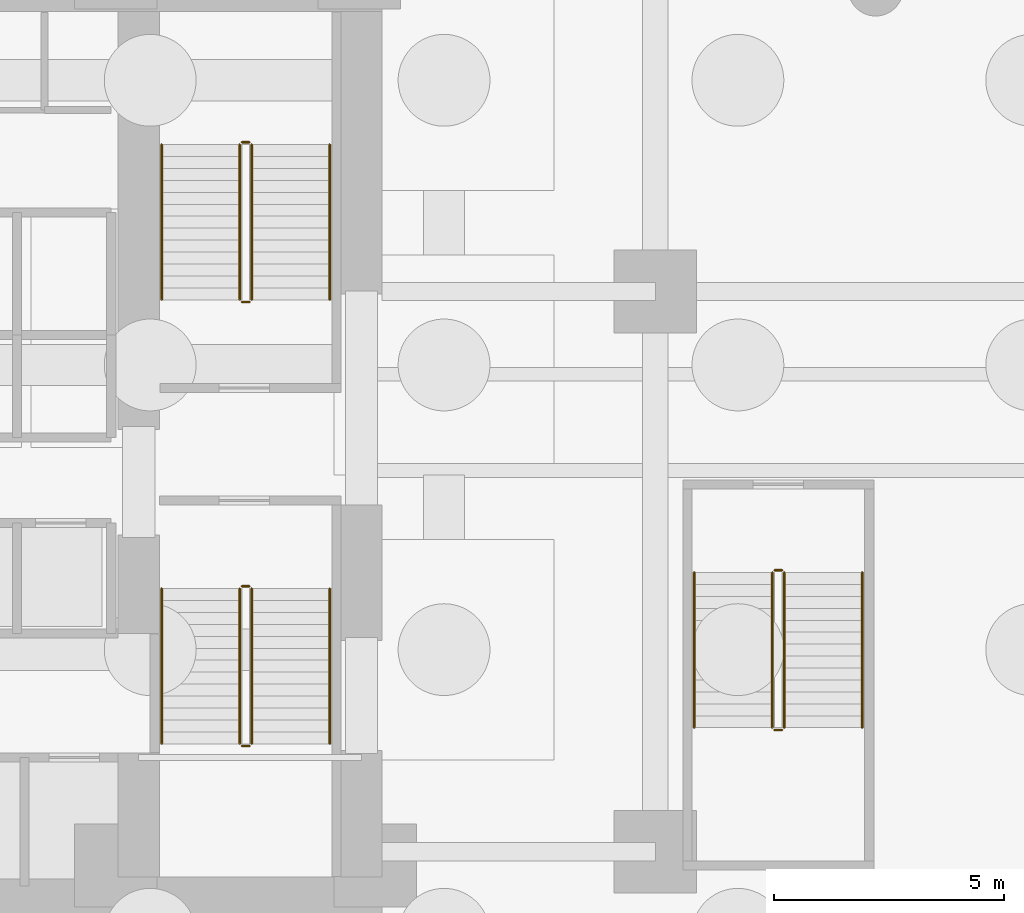
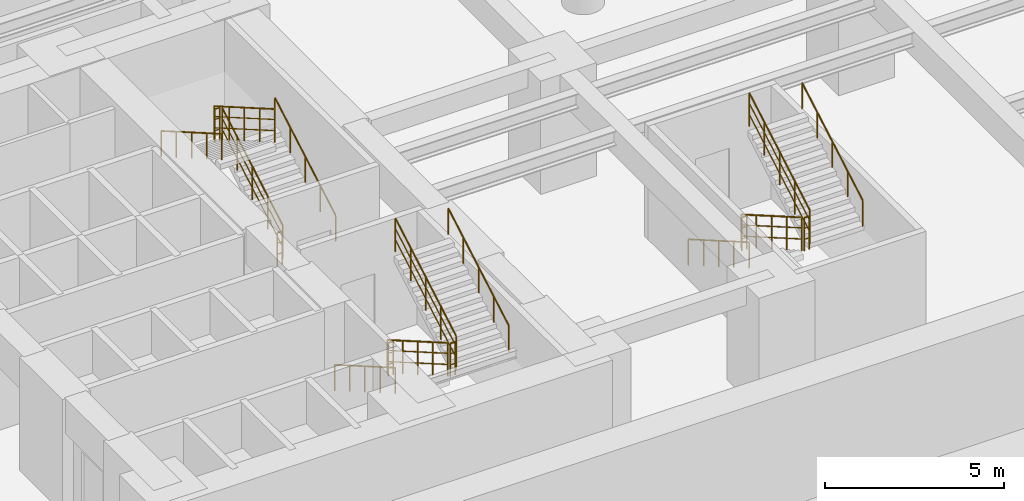
# One storey, part 5 of 6: 18 railings.
"""IFC4 building model written with IfcOpenShell, lengths in metres."""

from ifc_helpers import new_model, si_unit, direction, frame, origin, origin_2d, place, context, subcontext, project, spatial, circle, extrude, material, type_object, element, save


model = new_model("IFC4")

# Units and contexts
model_context = context("Model", 3, precision=1e-05, world=origin(), true_north=direction((0.0, 1.0)))
body_context = subcontext(model_context, "Body", "Model", "MODEL_VIEW")
ifc_project = project(units=[si_unit("LENGTHUNIT", "METRE"), si_unit("AREAUNIT", "SQUARE_METRE"), si_unit("VOLUMEUNIT", "CUBIC_METRE"), si_unit("PLANEANGLEUNIT", "RADIAN"), si_unit("MASSUNIT", "GRAM", prefix="KILO")], contexts=[model_context])

# Site, building, storey
site_placement = place(None, origin())
site = spatial("IfcSite", under=ifc_project, at=site_placement, CompositionType="ELEMENT")
building_placement = place(site_placement, origin())
building = spatial("IfcBuilding", under=site, at=building_placement, Name="Kolvaren Waterfront Exchange", CompositionType="ELEMENT")
storey_placement = place(building_placement, frame((0.0, 0.0, -8.39990234375)))
storey = spatial("IfcBuildingStorey", under=building, at=storey_placement, Name="B02", CompositionType="ELEMENT", Elevation=-8.39990234375)

# Railings
ifc_material = material(Name="Stainless steel 316", Category="steel")
railing_type_1 = type_object("IfcRailingType", Name="ARC-GUARD-STAIR", PredefinedType="GUARDRAIL", material=ifc_material)
railing_1_placement = place(storey_placement, frame((18.14990234375, 10.929931640625, 0.14990234375)))
element("IfcRailing", 1, at=railing_1_placement, inside=storey, type_object=railing_type_1, Name="B02 ST1 stair guard 1", PredefinedType="GUARDRAIL", context=body_context, shape_type="SweptSolid", body=[
    extrude(circle(Radius=0.02392578125, at=origin_2d()), frame((0.0, 0.0, 1.1259765625), z_axis=(0.0, -0.866183502775, 0.49972606448), x_axis=(1.0, 0.0, 0.0)), (0.0, 0.0, 1.0), 3.902099609375),
    extrude(circle(Radius=0.01611328125, at=origin_2d()), frame((0.0, 0.0, 0.390869140625), z_axis=(0.0, -0.866183502775, 0.49972606448), x_axis=(1.0, 0.0, 0.0)), (0.0, 0.0, 1.0), 3.902099609375),
    extrude(circle(Radius=0.01611328125, at=origin_2d()), frame((0.0, 0.0, 0.7705078125), z_axis=(0.0, -0.866183502775, 0.49972606448), x_axis=(1.0, 0.0, 0.0)), (0.0, 0.0, 1.0), 3.902099609375),
    extrude(circle(Radius=0.02099609375, at=origin_2d()), origin(), (0.0, 0.0, 1.0), 1.101806640625),
    extrude(circle(Radius=0.02099609375, at=origin_2d()), frame((0.0, -0.844970703125, 0.487548828125)), (0.0, 0.0, 1.0), 1.101806640625),
    extrude(circle(Radius=0.02099609375, at=origin_2d()), frame((0.0, -1.68994140625, 0.97509765625)), (0.0, 0.0, 1.0), 1.101806640625),
    extrude(circle(Radius=0.02099609375, at=origin_2d()), frame((0.0, -2.534912109375, 1.46240234375)), (0.0, 0.0, 1.0), 1.101806640625),
    extrude(circle(Radius=0.02099609375, at=origin_2d()), frame((0.0, -3.3798828125, 1.949951171875)), (0.0, 0.0, 1.0), 1.101806640625),
])
railing_2_placement = place(storey_placement, frame((18.199951171875, 7.5, 2.099853515625)))
element("IfcRailing", 2, at=railing_2_placement, inside=storey, type_object=railing_type_1, Name="B02 ST1 stair guard 2", PredefinedType="GUARDRAIL", context=body_context, shape_type="SweptSolid", body=[
    extrude(circle(Radius=0.02392578125, at=origin_2d()), frame((0.0, 0.0, 1.1259765625), z_axis=(1.0, 0.0, 0.0), x_axis=(0.0, 1.0, 0.0)), (0.0, 0.0, 1.0), 0.16015625),
    extrude(circle(Radius=0.01611328125, at=origin_2d()), frame((0.0, 0.0, 0.390869140625), z_axis=(1.0, 0.0, 0.0), x_axis=(0.0, 1.0, 0.0)), (0.0, 0.0, 1.0), 0.16015625),
    extrude(circle(Radius=0.01611328125, at=origin_2d()), frame((0.0, 0.0, 0.7705078125), z_axis=(1.0, 0.0, 0.0), x_axis=(0.0, 1.0, 0.0)), (0.0, 0.0, 1.0), 0.16015625),
    extrude(circle(Radius=0.02099609375, at=origin_2d()), origin(), (0.0, 0.0, 1.0), 1.101806640625),
    extrude(circle(Radius=0.02099609375, at=origin_2d()), frame((0.16015625, 0.0, 0.0)), (0.0, 0.0, 1.0), 1.101806640625),
])
railing_3_placement = place(storey_placement, frame((18.409912109375, 7.550048828125, 2.25)))
element("IfcRailing", 3, at=railing_3_placement, inside=storey, type_object=railing_type_1, Name="B02 ST1 stair guard 3", PredefinedType="GUARDRAIL", context=body_context, shape_type="SweptSolid", body=[
    extrude(circle(Radius=0.02392578125, at=origin_2d()), frame((0.0, 0.0, 1.1259765625), z_axis=(0.0, 0.866183502775, 0.49972606448), x_axis=(-1.0, 0.0, 0.0)), (0.0, 0.0, 1.0), 3.902099609375),
    extrude(circle(Radius=0.01611328125, at=origin_2d()), frame((0.0, 0.0, 0.390869140625), z_axis=(0.0, 0.866183502775, 0.49972606448), x_axis=(-1.0, 0.0, 0.0)), (0.0, 0.0, 1.0), 3.902099609375),
    extrude(circle(Radius=0.01611328125, at=origin_2d()), frame((0.0, 0.0, 0.7705078125), z_axis=(0.0, 0.866183502775, 0.49972606448), x_axis=(-1.0, 0.0, 0.0)), (0.0, 0.0, 1.0), 3.902099609375),
    extrude(circle(Radius=0.02099609375, at=origin_2d()), origin(), (0.0, 0.0, 1.0), 1.101806640625),
    extrude(circle(Radius=0.02099609375, at=origin_2d()), frame((0.0, 0.844970703125, 0.487548828125)), (0.0, 0.0, 1.0), 1.101806640625),
    extrude(circle(Radius=0.02099609375, at=origin_2d()), frame((0.0, 1.68994140625, 0.97509765625)), (0.0, 0.0, 1.0), 1.101806640625),
    extrude(circle(Radius=0.02099609375, at=origin_2d()), frame((0.0, 2.534912109375, 1.46240234375)), (0.0, 0.0, 1.0), 1.101806640625),
    extrude(circle(Radius=0.02099609375, at=origin_2d()), frame((0.0, 3.3798828125, 1.949951171875)), (0.0, 0.0, 1.0), 1.101806640625),
])
railing_4_placement = place(storey_placement, frame((18.199951171875, 10.97998046875, 0.0)))
element("IfcRailing", 4, at=railing_4_placement, inside=storey, type_object=railing_type_1, Name="B02 ST1 stair guard 4", PredefinedType="GUARDRAIL", context=body_context, shape_type="SweptSolid", body=[
    extrude(circle(Radius=0.02392578125, at=origin_2d()), frame((0.0, 0.0, 1.1259765625), z_axis=(1.0, 0.0, 0.0), x_axis=(0.0, 1.0, 0.0)), (0.0, 0.0, 1.0), 0.16015625),
    extrude(circle(Radius=0.01611328125, at=origin_2d()), frame((0.0, 0.0, 0.390869140625), z_axis=(1.0, 0.0, 0.0), x_axis=(0.0, 1.0, 0.0)), (0.0, 0.0, 1.0), 0.16015625),
    extrude(circle(Radius=0.01611328125, at=origin_2d()), frame((0.0, 0.0, 0.7705078125), z_axis=(1.0, 0.0, 0.0), x_axis=(0.0, 1.0, 0.0)), (0.0, 0.0, 1.0), 0.16015625),
    extrude(circle(Radius=0.02099609375, at=origin_2d()), origin(), (0.0, 0.0, 1.0), 1.101806640625),
    extrude(circle(Radius=0.02099609375, at=origin_2d()), frame((0.16015625, 0.0, 0.0)), (0.0, 0.0, 1.0), 1.101806640625),
])
railing_5_placement = place(storey_placement, frame((18.409912109375, 17.219970703125, 0.14990234375)))
element("IfcRailing", 5, at=railing_5_placement, inside=storey, type_object=railing_type_1, Name="B02 ST2 stair guard 1", PredefinedType="GUARDRAIL", context=body_context, shape_type="SweptSolid", body=[
    extrude(circle(Radius=0.02392578125, at=origin_2d()), frame((0.0, 0.0, 1.1259765625), z_axis=(0.0, 0.866199126228, 0.499698983112), x_axis=(-1.0, 0.0, 0.0)), (0.0, 0.0, 1.0), 3.90234375),
    extrude(circle(Radius=0.01611328125, at=origin_2d()), frame((0.0, 0.0, 0.390869140625), z_axis=(0.0, 0.866199126228, 0.499698983112), x_axis=(-1.0, 0.0, 0.0)), (0.0, 0.0, 1.0), 3.90234375),
    extrude(circle(Radius=0.01611328125, at=origin_2d()), frame((0.0, 0.0, 0.7705078125), z_axis=(0.0, 0.866199126228, 0.499698983112), x_axis=(-1.0, 0.0, 0.0)), (0.0, 0.0, 1.0), 3.90234375),
    extrude(circle(Radius=0.02099609375, at=origin_2d()), origin(), (0.0, 0.0, 1.0), 1.101806640625),
    extrude(circle(Radius=0.02099609375, at=origin_2d()), frame((0.0, 0.844970703125, 0.487548828125)), (0.0, 0.0, 1.0), 1.101806640625),
    extrude(circle(Radius=0.02099609375, at=origin_2d()), frame((0.0, 1.68994140625, 0.97509765625)), (0.0, 0.0, 1.0), 1.101806640625),
    extrude(circle(Radius=0.02099609375, at=origin_2d()), frame((0.0, 2.53515625, 1.46240234375)), (0.0, 0.0, 1.0), 1.101806640625),
    extrude(circle(Radius=0.02099609375, at=origin_2d()), frame((0.0, 3.380126953125, 1.949951171875)), (0.0, 0.0, 1.0), 1.101806640625),
])
railing_6_placement = place(storey_placement, frame((18.360107421875, 20.64990234375, 2.099853515625)))
element("IfcRailing", 6, at=railing_6_placement, inside=storey, type_object=railing_type_1, Name="B02 ST2 stair guard 2", PredefinedType="GUARDRAIL", context=body_context, shape_type="SweptSolid", body=[
    extrude(circle(Radius=0.02392578125, at=origin_2d()), frame((0.0, 0.0, 1.1259765625), z_axis=(-1.0, 0.0, 0.0), x_axis=(0.0, -1.0, 0.0)), (0.0, 0.0, 1.0), 0.16015625),
    extrude(circle(Radius=0.01611328125, at=origin_2d()), frame((0.0, 0.0, 0.390869140625), z_axis=(-1.0, 0.0, 0.0), x_axis=(0.0, -1.0, 0.0)), (0.0, 0.0, 1.0), 0.16015625),
    extrude(circle(Radius=0.01611328125, at=origin_2d()), frame((0.0, 0.0, 0.7705078125), z_axis=(-1.0, 0.0, 0.0), x_axis=(0.0, -1.0, 0.0)), (0.0, 0.0, 1.0), 0.16015625),
    extrude(circle(Radius=0.02099609375, at=origin_2d()), origin(), (0.0, 0.0, 1.0), 1.101806640625),
    extrude(circle(Radius=0.02099609375, at=origin_2d()), frame((-0.16015625, 0.0, 0.0)), (0.0, 0.0, 1.0), 1.101806640625),
])
railing_7_placement = place(storey_placement, frame((18.14990234375, 20.60009765625, 2.25)))
element("IfcRailing", 7, at=railing_7_placement, inside=storey, type_object=railing_type_1, Name="B02 ST2 stair guard 3", PredefinedType="GUARDRAIL", context=body_context, shape_type="SweptSolid", body=[
    extrude(circle(Radius=0.02392578125, at=origin_2d()), frame((0.0, 0.0, 1.1259765625), z_axis=(0.0, -0.866199126228, 0.499698983112), x_axis=(1.0, 0.0, 0.0)), (0.0, 0.0, 1.0), 3.90234375),
    extrude(circle(Radius=0.01611328125, at=origin_2d()), frame((0.0, 0.0, 0.390869140625), z_axis=(0.0, -0.866199126228, 0.499698983112), x_axis=(1.0, 0.0, 0.0)), (0.0, 0.0, 1.0), 3.90234375),
    extrude(circle(Radius=0.01611328125, at=origin_2d()), frame((0.0, 0.0, 0.7705078125), z_axis=(0.0, -0.866199126228, 0.499698983112), x_axis=(1.0, 0.0, 0.0)), (0.0, 0.0, 1.0), 3.90234375),
    extrude(circle(Radius=0.02099609375, at=origin_2d()), origin(), (0.0, 0.0, 1.0), 1.101806640625),
    extrude(circle(Radius=0.02099609375, at=origin_2d()), frame((0.0, -0.844970703125, 0.487548828125)), (0.0, 0.0, 1.0), 1.101806640625),
    extrude(circle(Radius=0.02099609375, at=origin_2d()), frame((0.0, -1.68994140625, 0.97509765625)), (0.0, 0.0, 1.0), 1.101806640625),
    extrude(circle(Radius=0.02099609375, at=origin_2d()), frame((0.0, -2.53515625, 1.46240234375)), (0.0, 0.0, 1.0), 1.101806640625),
    extrude(circle(Radius=0.02099609375, at=origin_2d()), frame((0.0, -3.380126953125, 1.949951171875)), (0.0, 0.0, 1.0), 1.101806640625),
])
railing_8_placement = place(storey_placement, frame((18.360107421875, 17.169921875, 0.0)))
element("IfcRailing", 8, at=railing_8_placement, inside=storey, type_object=railing_type_1, Name="B02 ST2 stair guard 4", PredefinedType="GUARDRAIL", context=body_context, shape_type="SweptSolid", body=[
    extrude(circle(Radius=0.02392578125, at=origin_2d()), frame((0.0, 0.0, 1.1259765625), z_axis=(-1.0, 0.0, 0.0), x_axis=(0.0, -1.0, 0.0)), (0.0, 0.0, 1.0), 0.16015625),
    extrude(circle(Radius=0.01611328125, at=origin_2d()), frame((0.0, 0.0, 0.390869140625), z_axis=(-1.0, 0.0, 0.0), x_axis=(0.0, -1.0, 0.0)), (0.0, 0.0, 1.0), 0.16015625),
    extrude(circle(Radius=0.01611328125, at=origin_2d()), frame((0.0, 0.0, 0.7705078125), z_axis=(-1.0, 0.0, 0.0), x_axis=(0.0, -1.0, 0.0)), (0.0, 0.0, 1.0), 0.16015625),
    extrude(circle(Radius=0.02099609375, at=origin_2d()), origin(), (0.0, 0.0, 1.0), 1.101806640625),
    extrude(circle(Radius=0.02099609375, at=origin_2d()), frame((-0.16015625, 0.0, 0.0)), (0.0, 0.0, 1.0), 1.101806640625),
])
railing_9_placement = place(storey_placement, frame((29.75, 11.280029296875, 0.14990234375)))
element("IfcRailing", 9, at=railing_9_placement, inside=storey, type_object=railing_type_1, Name="B02 ST3 stair guard 1", PredefinedType="GUARDRAIL", context=body_context, shape_type="SweptSolid", body=[
    extrude(circle(Radius=0.02392578125, at=origin_2d()), frame((0.0, 0.0, 1.1259765625), z_axis=(0.0, -0.866199126228, 0.499698983112), x_axis=(1.0, 0.0, 0.0)), (0.0, 0.0, 1.0), 3.90234375),
    extrude(circle(Radius=0.01611328125, at=origin_2d()), frame((0.0, 0.0, 0.390869140625), z_axis=(0.0, -0.866199126228, 0.499698983112), x_axis=(1.0, 0.0, 0.0)), (0.0, 0.0, 1.0), 3.90234375),
    extrude(circle(Radius=0.01611328125, at=origin_2d()), frame((0.0, 0.0, 0.7705078125), z_axis=(0.0, -0.866199126228, 0.499698983112), x_axis=(1.0, 0.0, 0.0)), (0.0, 0.0, 1.0), 3.90234375),
    extrude(circle(Radius=0.02099609375, at=origin_2d()), origin(), (0.0, 0.0, 1.0), 1.101806640625),
    extrude(circle(Radius=0.02099609375, at=origin_2d()), frame((0.0, -0.844970703125, 0.487548828125)), (0.0, 0.0, 1.0), 1.101806640625),
    extrude(circle(Radius=0.02099609375, at=origin_2d()), frame((0.0, -1.68994140625, 0.97509765625)), (0.0, 0.0, 1.0), 1.101806640625),
    extrude(circle(Radius=0.02099609375, at=origin_2d()), frame((0.0, -2.53515625, 1.46240234375)), (0.0, 0.0, 1.0), 1.101806640625),
    extrude(circle(Radius=0.02099609375, at=origin_2d()), frame((0.0, -3.380126953125, 1.949951171875)), (0.0, 0.0, 1.0), 1.101806640625),
])
railing_10_placement = place(storey_placement, frame((29.800048828125, 7.85009765625, 2.099853515625)))
element("IfcRailing", 10, at=railing_10_placement, inside=storey, type_object=railing_type_1, Name="B02 ST3 stair guard 2", PredefinedType="GUARDRAIL", context=body_context, shape_type="SweptSolid", body=[
    extrude(circle(Radius=0.02392578125, at=origin_2d()), frame((0.0, 0.0, 1.1259765625), z_axis=(1.0, 0.0, 0.0), x_axis=(0.0, 1.0, 0.0)), (0.0, 0.0, 1.0), 0.159912109375),
    extrude(circle(Radius=0.01611328125, at=origin_2d()), frame((0.0, 0.0, 0.390869140625), z_axis=(1.0, 0.0, 0.0), x_axis=(0.0, 1.0, 0.0)), (0.0, 0.0, 1.0), 0.159912109375),
    extrude(circle(Radius=0.01611328125, at=origin_2d()), frame((0.0, 0.0, 0.7705078125), z_axis=(1.0, 0.0, 0.0), x_axis=(0.0, 1.0, 0.0)), (0.0, 0.0, 1.0), 0.159912109375),
    extrude(circle(Radius=0.02099609375, at=origin_2d()), origin(), (0.0, 0.0, 1.0), 1.101806640625),
    extrude(circle(Radius=0.02099609375, at=origin_2d()), frame((0.159912109375, 0.0, 0.0)), (0.0, 0.0, 1.0), 1.101806640625),
])
railing_11_placement = place(storey_placement, frame((30.010009765625, 7.89990234375, 2.25)))
element("IfcRailing", 11, at=railing_11_placement, inside=storey, type_object=railing_type_1, Name="B02 ST3 stair guard 3", PredefinedType="GUARDRAIL", context=body_context, shape_type="SweptSolid", body=[
    extrude(circle(Radius=0.02392578125, at=origin_2d()), frame((0.0, 0.0, 1.1259765625), z_axis=(0.0, 0.866199126228, 0.499698983112), x_axis=(-1.0, 0.0, 0.0)), (0.0, 0.0, 1.0), 3.90234375),
    extrude(circle(Radius=0.01611328125, at=origin_2d()), frame((0.0, 0.0, 0.390869140625), z_axis=(0.0, 0.866199126228, 0.499698983112), x_axis=(-1.0, 0.0, 0.0)), (0.0, 0.0, 1.0), 3.90234375),
    extrude(circle(Radius=0.01611328125, at=origin_2d()), frame((0.0, 0.0, 0.7705078125), z_axis=(0.0, 0.866199126228, 0.499698983112), x_axis=(-1.0, 0.0, 0.0)), (0.0, 0.0, 1.0), 3.90234375),
    extrude(circle(Radius=0.02099609375, at=origin_2d()), origin(), (0.0, 0.0, 1.0), 1.101806640625),
    extrude(circle(Radius=0.02099609375, at=origin_2d()), frame((0.0, 0.844970703125, 0.487548828125)), (0.0, 0.0, 1.0), 1.101806640625),
    extrude(circle(Radius=0.02099609375, at=origin_2d()), frame((0.0, 1.68994140625, 0.97509765625)), (0.0, 0.0, 1.0), 1.101806640625),
    extrude(circle(Radius=0.02099609375, at=origin_2d()), frame((0.0, 2.53515625, 1.46240234375)), (0.0, 0.0, 1.0), 1.101806640625),
    extrude(circle(Radius=0.02099609375, at=origin_2d()), frame((0.0, 3.380126953125, 1.949951171875)), (0.0, 0.0, 1.0), 1.101806640625),
])
railing_12_placement = place(storey_placement, frame((29.800048828125, 11.330078125, 0.0)))
element("IfcRailing", 12, at=railing_12_placement, inside=storey, type_object=railing_type_1, Name="B02 ST3 stair guard 4", PredefinedType="GUARDRAIL", context=body_context, shape_type="SweptSolid", body=[
    extrude(circle(Radius=0.02392578125, at=origin_2d()), frame((0.0, 0.0, 1.1259765625), z_axis=(1.0, 0.0, 0.0), x_axis=(0.0, 1.0, 0.0)), (0.0, 0.0, 1.0), 0.159912109375),
    extrude(circle(Radius=0.01611328125, at=origin_2d()), frame((0.0, 0.0, 0.390869140625), z_axis=(1.0, 0.0, 0.0), x_axis=(0.0, 1.0, 0.0)), (0.0, 0.0, 1.0), 0.159912109375),
    extrude(circle(Radius=0.01611328125, at=origin_2d()), frame((0.0, 0.0, 0.7705078125), z_axis=(1.0, 0.0, 0.0), x_axis=(0.0, 1.0, 0.0)), (0.0, 0.0, 1.0), 0.159912109375),
    extrude(circle(Radius=0.02099609375, at=origin_2d()), origin(), (0.0, 0.0, 1.0), 1.101806640625),
    extrude(circle(Radius=0.02099609375, at=origin_2d()), frame((0.159912109375, 0.0, 0.0)), (0.0, 0.0, 1.0), 1.101806640625),
])
railing_type_2 = type_object("IfcRailingType", Name="ARC-HANDRAIL-900", PredefinedType="HANDRAIL", material=ifc_material)
railing_13_placement = place(storey_placement, frame((16.449951171875, 10.929931640625, 0.14990234375)))
element("IfcRailing", 13, at=railing_13_placement, inside=storey, type_object=railing_type_2, Name="B02 ST1 stair handrail 1", PredefinedType="HANDRAIL", context=body_context, shape_type="SweptSolid", body=[
    extrude(circle(Radius=0.02392578125, at=origin_2d()), frame((0.0, 0.0, 0.8759765625), z_axis=(0.0, -0.866183502775, 0.49972606448), x_axis=(1.0, 0.0, 0.0)), (0.0, 0.0, 1.0), 3.902099609375),
    extrude(circle(Radius=0.02099609375, at=origin_2d()), origin(), (0.0, 0.0, 1.0), 0.851806640625),
    extrude(circle(Radius=0.02099609375, at=origin_2d()), frame((0.0, -0.844970703125, 0.487548828125)), (0.0, 0.0, 1.0), 0.851806640625),
    extrude(circle(Radius=0.02099609375, at=origin_2d()), frame((0.0, -1.68994140625, 0.97509765625)), (0.0, 0.0, 1.0), 0.851806640625),
    extrude(circle(Radius=0.02099609375, at=origin_2d()), frame((0.0, -2.534912109375, 1.46240234375)), (0.0, 0.0, 1.0), 0.851806640625),
    extrude(circle(Radius=0.02099609375, at=origin_2d()), frame((0.0, -3.3798828125, 1.949951171875)), (0.0, 0.0, 1.0), 0.851806640625),
])
railing_14_placement = place(storey_placement, frame((20.110107421875, 7.550048828125, 2.25)))
element("IfcRailing", 14, at=railing_14_placement, inside=storey, type_object=railing_type_2, Name="B02 ST1 stair handrail 2", PredefinedType="HANDRAIL", context=body_context, shape_type="SweptSolid", body=[
    extrude(circle(Radius=0.02392578125, at=origin_2d()), frame((0.0, 0.0, 0.8759765625), z_axis=(0.0, 0.866183502775, 0.49972606448), x_axis=(-1.0, 0.0, 0.0)), (0.0, 0.0, 1.0), 3.902099609375),
    extrude(circle(Radius=0.02099609375, at=origin_2d()), origin(), (0.0, 0.0, 1.0), 0.851806640625),
    extrude(circle(Radius=0.02099609375, at=origin_2d()), frame((0.0, 0.844970703125, 0.487548828125)), (0.0, 0.0, 1.0), 0.851806640625),
    extrude(circle(Radius=0.02099609375, at=origin_2d()), frame((0.0, 1.68994140625, 0.97509765625)), (0.0, 0.0, 1.0), 0.851806640625),
    extrude(circle(Radius=0.02099609375, at=origin_2d()), frame((0.0, 2.534912109375, 1.46240234375)), (0.0, 0.0, 1.0), 0.851806640625),
    extrude(circle(Radius=0.02099609375, at=origin_2d()), frame((0.0, 3.3798828125, 1.949951171875)), (0.0, 0.0, 1.0), 0.851806640625),
])
railing_15_placement = place(storey_placement, frame((20.110107421875, 17.219970703125, 0.14990234375)))
element("IfcRailing", 15, at=railing_15_placement, inside=storey, type_object=railing_type_2, Name="B02 ST2 stair handrail 1", PredefinedType="HANDRAIL", context=body_context, shape_type="SweptSolid", body=[
    extrude(circle(Radius=0.02392578125, at=origin_2d()), frame((0.0, 0.0, 0.8759765625), z_axis=(0.0, 0.866199126228, 0.499698983112), x_axis=(-1.0, 0.0, 0.0)), (0.0, 0.0, 1.0), 3.90234375),
    extrude(circle(Radius=0.02099609375, at=origin_2d()), origin(), (0.0, 0.0, 1.0), 0.851806640625),
    extrude(circle(Radius=0.02099609375, at=origin_2d()), frame((0.0, 0.844970703125, 0.487548828125)), (0.0, 0.0, 1.0), 0.851806640625),
    extrude(circle(Radius=0.02099609375, at=origin_2d()), frame((0.0, 1.68994140625, 0.97509765625)), (0.0, 0.0, 1.0), 0.851806640625),
    extrude(circle(Radius=0.02099609375, at=origin_2d()), frame((0.0, 2.53515625, 1.46240234375)), (0.0, 0.0, 1.0), 0.851806640625),
    extrude(circle(Radius=0.02099609375, at=origin_2d()), frame((0.0, 3.380126953125, 1.949951171875)), (0.0, 0.0, 1.0), 0.851806640625),
])
for number, where, name in (
    (16, (16.449951171875, 20.60009765625, 2.25), "B02 ST2 stair handrail 2"),
    (17, (28.050048828125, 11.280029296875, 0.14990234375), "B02 ST3 stair handrail 1"),
):
    element("IfcRailing", number, at=place(storey_placement, frame(where)), inside=storey, type_object=railing_type_2, Name=name, PredefinedType="HANDRAIL", context=body_context, shape_type="SweptSolid", body=[
        extrude(circle(Radius=0.02392578125, at=origin_2d()), frame((0.0, 0.0, 0.8759765625), z_axis=(0.0, -0.866199126228, 0.499698983112), x_axis=(1.0, 0.0, 0.0)), (0.0, 0.0, 1.0), 3.90234375),
        extrude(circle(Radius=0.02099609375, at=origin_2d()), origin(), (0.0, 0.0, 1.0), 0.851806640625),
        extrude(circle(Radius=0.02099609375, at=origin_2d()), frame((0.0, -0.844970703125, 0.487548828125)), (0.0, 0.0, 1.0), 0.851806640625),
        extrude(circle(Radius=0.02099609375, at=origin_2d()), frame((0.0, -1.68994140625, 0.97509765625)), (0.0, 0.0, 1.0), 0.851806640625),
        extrude(circle(Radius=0.02099609375, at=origin_2d()), frame((0.0, -2.53515625, 1.46240234375)), (0.0, 0.0, 1.0), 0.851806640625),
        extrude(circle(Radius=0.02099609375, at=origin_2d()), frame((0.0, -3.380126953125, 1.949951171875)), (0.0, 0.0, 1.0), 0.851806640625),
    ])
railing_16_placement = place(storey_placement, frame((31.7099609375, 7.89990234375, 2.25)))
element("IfcRailing", 18, at=railing_16_placement, inside=storey, type_object=railing_type_2, Name="B02 ST3 stair handrail 2", PredefinedType="HANDRAIL", context=body_context, shape_type="SweptSolid", body=[
    extrude(circle(Radius=0.02392578125, at=origin_2d()), frame((0.0, 0.0, 0.8759765625), z_axis=(0.0, 0.866199126228, 0.499698983112), x_axis=(-1.0, 0.0, 0.0)), (0.0, 0.0, 1.0), 3.90234375),
    extrude(circle(Radius=0.02099609375, at=origin_2d()), origin(), (0.0, 0.0, 1.0), 0.851806640625),
    extrude(circle(Radius=0.02099609375, at=origin_2d()), frame((0.0, 0.844970703125, 0.487548828125)), (0.0, 0.0, 1.0), 0.851806640625),
    extrude(circle(Radius=0.02099609375, at=origin_2d()), frame((0.0, 1.68994140625, 0.97509765625)), (0.0, 0.0, 1.0), 0.851806640625),
    extrude(circle(Radius=0.02099609375, at=origin_2d()), frame((0.0, 2.53515625, 1.46240234375)), (0.0, 0.0, 1.0), 0.851806640625),
    extrude(circle(Radius=0.02099609375, at=origin_2d()), frame((0.0, 3.380126953125, 1.949951171875)), (0.0, 0.0, 1.0), 0.851806640625),
])

save(model, "model.ifc")
